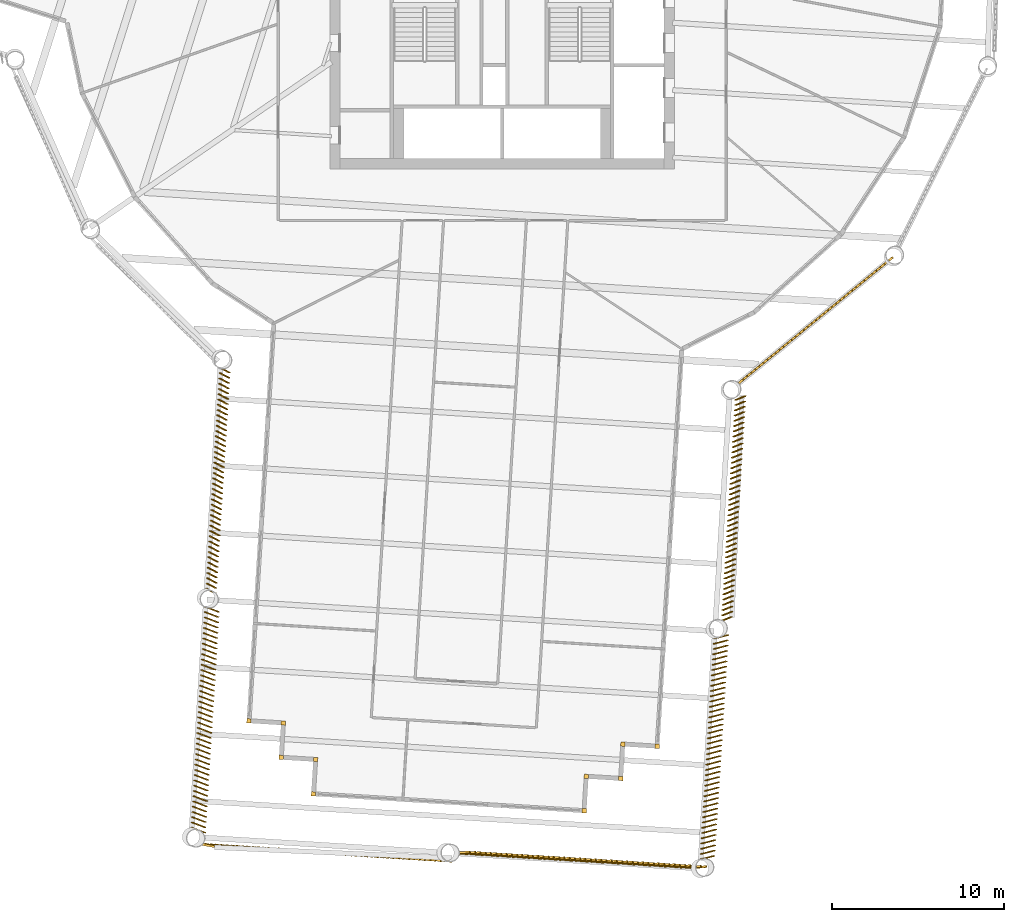
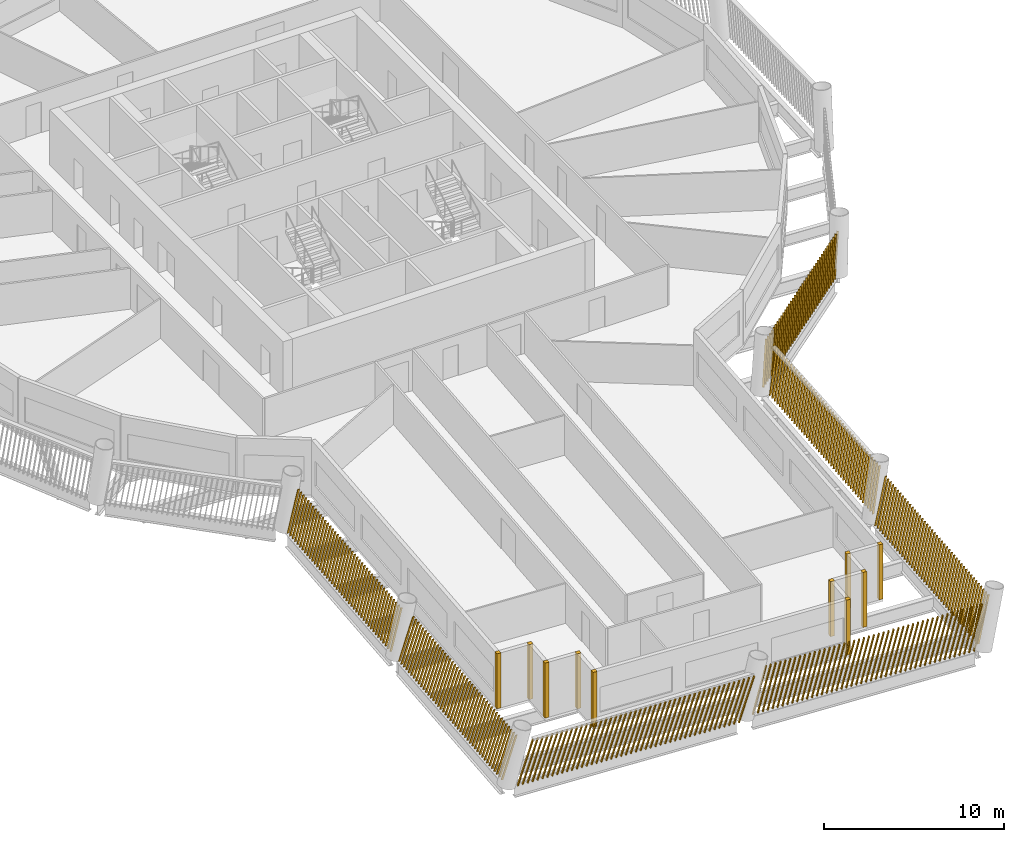
# One storey, part 11 of 15: 17 shading devices.
"""IFC4 building model written with IfcOpenShell, lengths in metres."""

from ifc_helpers import new_model, si_unit, direction, frame, frame_2d, origin, origin_2d, place, context, subcontext, project, spatial, rectangle, composite_profile, extrude, material, type_object, element, save


model = new_model("IFC4")

# Units and contexts
model_context = context("Model", 3, precision=1e-05, world=origin(), true_north=direction((0.0, 1.0)))
body_context = subcontext(model_context, "Body", "Model", "MODEL_VIEW")
ifc_project = project(units=[si_unit("LENGTHUNIT", "METRE"), si_unit("AREAUNIT", "SQUARE_METRE"), si_unit("VOLUMEUNIT", "CUBIC_METRE"), si_unit("PLANEANGLEUNIT", "RADIAN"), si_unit("MASSUNIT", "GRAM", prefix="KILO")], contexts=[model_context])

# Site, building, storey
site_placement = place(None, origin())
site = spatial("IfcSite", under=ifc_project, at=site_placement, CompositionType="ELEMENT")
building_placement = place(site_placement, origin())
building = spatial("IfcBuilding", under=site, at=building_placement, Name="Tarsis Ring Headquarters", CompositionType="ELEMENT")
storey_placement = place(building_placement, frame((0.0, 0.0, 212.10009765625)))
storey = spatial("IfcBuildingStorey", under=building, at=storey_placement, Name="L49", CompositionType="ELEMENT", Elevation=212.10009765625)

# Shading devices
ifc_material = material(Name="Terracotta baguette", Category="masonry")
shading_device_type_1 = type_object("IfcShadingDeviceType", Name="Terracotta baguette screen", PredefinedType="USERDEFINED", material=ifc_material)
shading_device_1_placement = place(storey_placement, frame((-16.3544921875, -24.52734375, 0.0), z_axis=(0.0, 0.0, 1.0), x_axis=(-0.062102633969, -0.998069936421, 0.0)))
element("IfcShadingDevice", 1, at=shading_device_1_placement, inside=storey, type_object=shading_device_type_1, Name="Baguette screen L49-01", ObjectType="Terracotta baguette screen", PredefinedType="USERDEFINED", context=body_context, shape_type="SweptSolid", body=[
    extrude(composite_profile([rectangle(XDim=0.06005859375, YDim=0.1201171875, at=frame_2d((0.030029296875, 0.0))), rectangle(XDim=0.06005859375, YDim=0.1201171875, at=frame_2d((0.335693359375, 0.0))), rectangle(XDim=0.06005859375, YDim=0.1201171875, at=frame_2d((0.6416015625, 0.0))), rectangle(XDim=0.06005859375, YDim=0.1201171875, at=frame_2d((0.947265625, 0.0))), rectangle(XDim=0.06005859375, YDim=0.1201171875, at=frame_2d((1.253173828125, 0.0))), rectangle(XDim=0.06005859375, YDim=0.1201171875, at=frame_2d((1.558837890625, 0.0))), rectangle(XDim=0.06005859375, YDim=0.1201171875, at=frame_2d((1.864501953125, 0.0))), rectangle(XDim=0.06005859375, YDim=0.1201171875, at=frame_2d((2.17041015625, 0.0))), rectangle(XDim=0.06005859375, YDim=0.1201171875, at=frame_2d((2.47607421875, 0.0))), rectangle(XDim=0.06005859375, YDim=0.1201171875, at=frame_2d((2.781982421875, 0.0))), rectangle(XDim=0.06005859375, YDim=0.1201171875, at=frame_2d((3.087646484375, 0.0))), rectangle(XDim=0.06005859375, YDim=0.1201171875, at=frame_2d((3.393310546875, 0.0))), rectangle(XDim=0.06005859375, YDim=0.1201171875, at=frame_2d((3.69921875, 0.0))), rectangle(XDim=0.06005859375, YDim=0.1201171875, at=frame_2d((4.0048828125, 0.0))), rectangle(XDim=0.06005859375, YDim=0.1201171875, at=frame_2d((4.310791015625, 0.0))), rectangle(XDim=0.06005859375, YDim=0.1201171875, at=frame_2d((4.616455078125, 0.0))), rectangle(XDim=0.06005859375, YDim=0.1201171875, at=frame_2d((4.922119140625, 0.0))), rectangle(XDim=0.06005859375, YDim=0.1201171875, at=frame_2d((5.22802734375, 0.0))), rectangle(XDim=0.06005859375, YDim=0.1201171875, at=frame_2d((5.53369140625, 0.0))), rectangle(XDim=0.06005859375, YDim=0.1201171875, at=frame_2d((5.839599609375, 0.0))), rectangle(XDim=0.06005859375, YDim=0.1201171875, at=frame_2d((6.145263671875, 0.0))), rectangle(XDim=0.06005859375, YDim=0.1201171875, at=frame_2d((6.451171875, 0.0))), rectangle(XDim=0.06005859375, YDim=0.1201171875, at=frame_2d((6.7568359375, 0.0))), rectangle(XDim=0.06005859375, YDim=0.1201171875, at=frame_2d((7.0625, 0.0))), rectangle(XDim=0.06005859375, YDim=0.1201171875, at=frame_2d((7.368408203125, 0.0))), rectangle(XDim=0.06005859375, YDim=0.1201171875, at=frame_2d((7.674072265625, 0.0))), rectangle(XDim=0.06005859375, YDim=0.1201171875, at=frame_2d((7.97998046875, 0.0))), rectangle(XDim=0.06005859375, YDim=0.1201171875, at=frame_2d((8.28564453125, 0.0))), rectangle(XDim=0.06005859375, YDim=0.1201171875, at=frame_2d((8.59130859375, 0.0))), rectangle(XDim=0.06005859375, YDim=0.1201171875, at=frame_2d((8.897216796875, 0.0))), rectangle(XDim=0.06005859375, YDim=0.1201171875, at=frame_2d((9.202880859375, 0.0))), rectangle(XDim=0.06005859375, YDim=0.1201171875, at=frame_2d((9.5087890625, 0.0))), rectangle(XDim=0.06005859375, YDim=0.1201171875, at=frame_2d((9.814453125, 0.0))), rectangle(XDim=0.06005859375, YDim=0.1201171875, at=frame_2d((10.1201171875, 0.0))), rectangle(XDim=0.06005859375, YDim=0.1201171875, at=frame_2d((10.426025390625, 0.0))), rectangle(XDim=0.06005859375, YDim=0.1201171875, at=frame_2d((10.731689453125, 0.0))), rectangle(XDim=0.06005859375, YDim=0.1201171875, at=frame_2d((11.03759765625, 0.0))), rectangle(XDim=0.06005859375, YDim=0.1201171875, at=frame_2d((11.34326171875, 0.0))), rectangle(XDim=0.06005859375, YDim=0.1201171875, at=frame_2d((11.64892578125, 0.0))), rectangle(XDim=0.06005859375, YDim=0.1201171875, at=frame_2d((11.954833984375, 0.0))), rectangle(XDim=0.06005859375, YDim=0.1201171875, at=frame_2d((12.260498046875, 0.0))), rectangle(XDim=0.06005859375, YDim=0.1201171875, at=frame_2d((12.56640625, 0.0))), rectangle(XDim=0.06005859375, YDim=0.1201171875, at=frame_2d((12.8720703125, 0.0)))]), origin(), (0.08093310766, 0.178611030988, 0.98058550453), 3.00830078125),
])
shading_device_2_placement = place(storey_placement, frame((-17.2177734375, -38.40283203125, 0.0), z_axis=(0.0, 0.0, 1.0), x_axis=(-0.062103809109, -0.9980698999, 0.0)))
element("IfcShadingDevice", 2, at=shading_device_2_placement, inside=storey, type_object=shading_device_type_1, Name="Baguette screen L49-02", ObjectType="Terracotta baguette screen", PredefinedType="USERDEFINED", context=body_context, shape_type="SweptSolid", body=[
    extrude(composite_profile([rectangle(XDim=0.06005859375, YDim=0.1201171875, at=frame_2d((0.030029296875, 0.0))), rectangle(XDim=0.06005859375, YDim=0.1201171875, at=frame_2d((0.335693359375, 0.0))), rectangle(XDim=0.06005859375, YDim=0.1201171875, at=frame_2d((0.6416015625, 0.0))), rectangle(XDim=0.06005859375, YDim=0.1201171875, at=frame_2d((0.947265625, 0.0))), rectangle(XDim=0.06005859375, YDim=0.1201171875, at=frame_2d((1.253173828125, 0.0))), rectangle(XDim=0.06005859375, YDim=0.1201171875, at=frame_2d((1.558837890625, 0.0))), rectangle(XDim=0.06005859375, YDim=0.1201171875, at=frame_2d((1.864501953125, 0.0))), rectangle(XDim=0.06005859375, YDim=0.1201171875, at=frame_2d((2.17041015625, 0.0))), rectangle(XDim=0.06005859375, YDim=0.1201171875, at=frame_2d((2.47607421875, 0.0))), rectangle(XDim=0.06005859375, YDim=0.1201171875, at=frame_2d((2.781982421875, 0.0))), rectangle(XDim=0.06005859375, YDim=0.1201171875, at=frame_2d((3.087646484375, 0.0))), rectangle(XDim=0.06005859375, YDim=0.1201171875, at=frame_2d((3.393310546875, 0.0))), rectangle(XDim=0.06005859375, YDim=0.1201171875, at=frame_2d((3.69921875, 0.0))), rectangle(XDim=0.06005859375, YDim=0.1201171875, at=frame_2d((4.0048828125, 0.0))), rectangle(XDim=0.06005859375, YDim=0.1201171875, at=frame_2d((4.310791015625, 0.0))), rectangle(XDim=0.06005859375, YDim=0.1201171875, at=frame_2d((4.616455078125, 0.0))), rectangle(XDim=0.06005859375, YDim=0.1201171875, at=frame_2d((4.922119140625, 0.0))), rectangle(XDim=0.06005859375, YDim=0.1201171875, at=frame_2d((5.22802734375, 0.0))), rectangle(XDim=0.06005859375, YDim=0.1201171875, at=frame_2d((5.53369140625, 0.0))), rectangle(XDim=0.06005859375, YDim=0.1201171875, at=frame_2d((5.839599609375, 0.0))), rectangle(XDim=0.06005859375, YDim=0.1201171875, at=frame_2d((6.145263671875, 0.0))), rectangle(XDim=0.06005859375, YDim=0.1201171875, at=frame_2d((6.451171875, 0.0))), rectangle(XDim=0.06005859375, YDim=0.1201171875, at=frame_2d((6.7568359375, 0.0))), rectangle(XDim=0.06005859375, YDim=0.1201171875, at=frame_2d((7.0625, 0.0))), rectangle(XDim=0.06005859375, YDim=0.1201171875, at=frame_2d((7.368408203125, 0.0))), rectangle(XDim=0.06005859375, YDim=0.1201171875, at=frame_2d((7.674072265625, 0.0))), rectangle(XDim=0.06005859375, YDim=0.1201171875, at=frame_2d((7.97998046875, 0.0))), rectangle(XDim=0.06005859375, YDim=0.1201171875, at=frame_2d((8.28564453125, 0.0))), rectangle(XDim=0.06005859375, YDim=0.1201171875, at=frame_2d((8.59130859375, 0.0))), rectangle(XDim=0.06005859375, YDim=0.1201171875, at=frame_2d((8.897216796875, 0.0))), rectangle(XDim=0.06005859375, YDim=0.1201171875, at=frame_2d((9.202880859375, 0.0))), rectangle(XDim=0.06005859375, YDim=0.1201171875, at=frame_2d((9.5087890625, 0.0))), rectangle(XDim=0.06005859375, YDim=0.1201171875, at=frame_2d((9.814453125, 0.0))), rectangle(XDim=0.06005859375, YDim=0.1201171875, at=frame_2d((10.1201171875, 0.0))), rectangle(XDim=0.06005859375, YDim=0.1201171875, at=frame_2d((10.426025390625, 0.0))), rectangle(XDim=0.06005859375, YDim=0.1201171875, at=frame_2d((10.731689453125, 0.0))), rectangle(XDim=0.06005859375, YDim=0.1201171875, at=frame_2d((11.03759765625, 0.0))), rectangle(XDim=0.06005859375, YDim=0.1201171875, at=frame_2d((11.34326171875, 0.0))), rectangle(XDim=0.06005859375, YDim=0.1201171875, at=frame_2d((11.64892578125, 0.0))), rectangle(XDim=0.06005859375, YDim=0.1201171875, at=frame_2d((11.954833984375, 0.0))), rectangle(XDim=0.06005859375, YDim=0.1201171875, at=frame_2d((12.260498046875, 0.0))), rectangle(XDim=0.06005859375, YDim=0.1201171875, at=frame_2d((12.56640625, 0.0))), rectangle(XDim=0.06005859375, YDim=0.1201171875, at=frame_2d((12.8720703125, 0.0)))]), origin(), (0.078969926048, 0.251846926602, 0.964539722531), 3.058349609375),
])
shading_device_3_placement = place(storey_placement, frame((-17.57421875, -52.184326171875, 0.0), z_axis=(0.0, 0.0, 1.0), x_axis=(0.998071649713, -0.062096417514, 0.0)))
element("IfcShadingDevice", 3, at=shading_device_3_placement, inside=storey, type_object=shading_device_type_1, Name="Baguette screen L49-03", ObjectType="Terracotta baguette screen", PredefinedType="USERDEFINED", context=body_context, shape_type="SweptSolid", body=[
    extrude(composite_profile([rectangle(XDim=0.06005859375, YDim=0.1201171875, at=frame_2d((0.030029296875, 0.0))), rectangle(XDim=0.06005859375, YDim=0.1201171875, at=frame_2d((0.33544921875, 0.0))), rectangle(XDim=0.06005859375, YDim=0.1201171875, at=frame_2d((0.640625, 0.0))), rectangle(XDim=0.06005859375, YDim=0.1201171875, at=frame_2d((0.946044921875, 0.0))), rectangle(XDim=0.06005859375, YDim=0.1201171875, at=frame_2d((1.25146484375, 0.0))), rectangle(XDim=0.06005859375, YDim=0.1201171875, at=frame_2d((1.556640625, 0.0))), rectangle(XDim=0.06005859375, YDim=0.1201171875, at=frame_2d((1.862060546875, 0.0))), rectangle(XDim=0.06005859375, YDim=0.1201171875, at=frame_2d((2.16748046875, 0.0))), rectangle(XDim=0.06005859375, YDim=0.1201171875, at=frame_2d((2.47265625, 0.0))), rectangle(XDim=0.06005859375, YDim=0.1201171875, at=frame_2d((2.778076171875, 0.0))), rectangle(XDim=0.06005859375, YDim=0.1201171875, at=frame_2d((3.08349609375, 0.0))), rectangle(XDim=0.06005859375, YDim=0.1201171875, at=frame_2d((3.388671875, 0.0))), rectangle(XDim=0.06005859375, YDim=0.1201171875, at=frame_2d((3.694091796875, 0.0))), rectangle(XDim=0.06005859375, YDim=0.1201171875, at=frame_2d((3.99951171875, 0.0))), rectangle(XDim=0.06005859375, YDim=0.1201171875, at=frame_2d((4.3046875, 0.0))), rectangle(XDim=0.06005859375, YDim=0.1201171875, at=frame_2d((4.610107421875, 0.0))), rectangle(XDim=0.06005859375, YDim=0.1201171875, at=frame_2d((4.91552734375, 0.0))), rectangle(XDim=0.06005859375, YDim=0.1201171875, at=frame_2d((5.220703125, 0.0))), rectangle(XDim=0.06005859375, YDim=0.1201171875, at=frame_2d((5.526123046875, 0.0))), rectangle(XDim=0.06005859375, YDim=0.1201171875, at=frame_2d((5.83154296875, 0.0))), rectangle(XDim=0.06005859375, YDim=0.1201171875, at=frame_2d((6.13671875, 0.0))), rectangle(XDim=0.06005859375, YDim=0.1201171875, at=frame_2d((6.442138671875, 0.0))), rectangle(XDim=0.06005859375, YDim=0.1201171875, at=frame_2d((6.74755859375, 0.0))), rectangle(XDim=0.06005859375, YDim=0.1201171875, at=frame_2d((7.052734375, 0.0))), rectangle(XDim=0.06005859375, YDim=0.1201171875, at=frame_2d((7.358154296875, 0.0))), rectangle(XDim=0.06005859375, YDim=0.1201171875, at=frame_2d((7.66357421875, 0.0))), rectangle(XDim=0.06005859375, YDim=0.1201171875, at=frame_2d((7.96875, 0.0))), rectangle(XDim=0.06005859375, YDim=0.1201171875, at=frame_2d((8.274169921875, 0.0))), rectangle(XDim=0.06005859375, YDim=0.1201171875, at=frame_2d((8.57958984375, 0.0))), rectangle(XDim=0.06005859375, YDim=0.1201171875, at=frame_2d((8.884765625, 0.0))), rectangle(XDim=0.06005859375, YDim=0.1201171875, at=frame_2d((9.190185546875, 0.0))), rectangle(XDim=0.06005859375, YDim=0.1201171875, at=frame_2d((9.49560546875, 0.0))), rectangle(XDim=0.06005859375, YDim=0.1201171875, at=frame_2d((9.80078125, 0.0))), rectangle(XDim=0.06005859375, YDim=0.1201171875, at=frame_2d((10.106201171875, 0.0))), rectangle(XDim=0.06005859375, YDim=0.1201171875, at=frame_2d((10.41162109375, 0.0))), rectangle(XDim=0.06005859375, YDim=0.1201171875, at=frame_2d((10.716796875, 0.0))), rectangle(XDim=0.06005859375, YDim=0.1201171875, at=frame_2d((11.022216796875, 0.0))), rectangle(XDim=0.06005859375, YDim=0.1201171875, at=frame_2d((11.32763671875, 0.0))), rectangle(XDim=0.06005859375, YDim=0.1201171875, at=frame_2d((11.6328125, 0.0))), rectangle(XDim=0.06005859375, YDim=0.1201171875, at=frame_2d((11.938232421875, 0.0))), rectangle(XDim=0.06005859375, YDim=0.1201171875, at=frame_2d((12.24365234375, 0.0))), rectangle(XDim=0.06005859375, YDim=0.1201171875, at=frame_2d((12.548828125, 0.0))), rectangle(XDim=0.06005859375, YDim=0.1201171875, at=frame_2d((12.854248046875, 0.0))), rectangle(XDim=0.06005859375, YDim=0.1201171875, at=frame_2d((13.15966796875, 0.0))), rectangle(XDim=0.06005859375, YDim=0.1201171875, at=frame_2d((13.46484375, 0.0))), rectangle(XDim=0.06005859375, YDim=0.1201171875, at=frame_2d((13.770263671875, 0.0)))]), origin(), (0.28921534367, -0.037780498892, 0.95651822716), 3.083984375),
])
shading_device_4_placement = place(storey_placement, frame((-2.779541015625, -52.729248046875, 0.0), z_axis=(0.0, 0.0, 1.0), x_axis=(0.998071649713, -0.062078726227, 0.0)))
element("IfcShadingDevice", 4, at=shading_device_4_placement, inside=storey, type_object=shading_device_type_1, Name="Baguette screen L49-04", ObjectType="Terracotta baguette screen", PredefinedType="USERDEFINED", context=body_context, shape_type="SweptSolid", body=[
    extrude(composite_profile([rectangle(XDim=0.06005859375, YDim=0.1201171875, at=frame_2d((0.030029296875, 0.0))), rectangle(XDim=0.06005859375, YDim=0.1201171875, at=frame_2d((0.33544921875, 0.0))), rectangle(XDim=0.06005859375, YDim=0.1201171875, at=frame_2d((0.640625, 0.0))), rectangle(XDim=0.06005859375, YDim=0.1201171875, at=frame_2d((0.946044921875, 0.0))), rectangle(XDim=0.06005859375, YDim=0.1201171875, at=frame_2d((1.25146484375, 0.0))), rectangle(XDim=0.06005859375, YDim=0.1201171875, at=frame_2d((1.556640625, 0.0))), rectangle(XDim=0.06005859375, YDim=0.1201171875, at=frame_2d((1.862060546875, 0.0))), rectangle(XDim=0.06005859375, YDim=0.1201171875, at=frame_2d((2.16748046875, 0.0))), rectangle(XDim=0.06005859375, YDim=0.1201171875, at=frame_2d((2.47265625, 0.0))), rectangle(XDim=0.06005859375, YDim=0.1201171875, at=frame_2d((2.778076171875, 0.0))), rectangle(XDim=0.06005859375, YDim=0.1201171875, at=frame_2d((3.08349609375, 0.0))), rectangle(XDim=0.06005859375, YDim=0.1201171875, at=frame_2d((3.388671875, 0.0))), rectangle(XDim=0.06005859375, YDim=0.1201171875, at=frame_2d((3.694091796875, 0.0))), rectangle(XDim=0.06005859375, YDim=0.1201171875, at=frame_2d((3.99951171875, 0.0))), rectangle(XDim=0.06005859375, YDim=0.1201171875, at=frame_2d((4.3046875, 0.0))), rectangle(XDim=0.06005859375, YDim=0.1201171875, at=frame_2d((4.610107421875, 0.0))), rectangle(XDim=0.06005859375, YDim=0.1201171875, at=frame_2d((4.91552734375, 0.0))), rectangle(XDim=0.06005859375, YDim=0.1201171875, at=frame_2d((5.220703125, 0.0))), rectangle(XDim=0.06005859375, YDim=0.1201171875, at=frame_2d((5.526123046875, 0.0))), rectangle(XDim=0.06005859375, YDim=0.1201171875, at=frame_2d((5.83154296875, 0.0))), rectangle(XDim=0.06005859375, YDim=0.1201171875, at=frame_2d((6.13671875, 0.0))), rectangle(XDim=0.06005859375, YDim=0.1201171875, at=frame_2d((6.442138671875, 0.0))), rectangle(XDim=0.06005859375, YDim=0.1201171875, at=frame_2d((6.74755859375, 0.0))), rectangle(XDim=0.06005859375, YDim=0.1201171875, at=frame_2d((7.052734375, 0.0))), rectangle(XDim=0.06005859375, YDim=0.1201171875, at=frame_2d((7.358154296875, 0.0))), rectangle(XDim=0.06005859375, YDim=0.1201171875, at=frame_2d((7.66357421875, 0.0))), rectangle(XDim=0.06005859375, YDim=0.1201171875, at=frame_2d((7.96875, 0.0))), rectangle(XDim=0.06005859375, YDim=0.1201171875, at=frame_2d((8.274169921875, 0.0))), rectangle(XDim=0.06005859375, YDim=0.1201171875, at=frame_2d((8.57958984375, 0.0))), rectangle(XDim=0.06005859375, YDim=0.1201171875, at=frame_2d((8.884765625, 0.0))), rectangle(XDim=0.06005859375, YDim=0.1201171875, at=frame_2d((9.190185546875, 0.0))), rectangle(XDim=0.06005859375, YDim=0.1201171875, at=frame_2d((9.49560546875, 0.0))), rectangle(XDim=0.06005859375, YDim=0.1201171875, at=frame_2d((9.80078125, 0.0))), rectangle(XDim=0.06005859375, YDim=0.1201171875, at=frame_2d((10.106201171875, 0.0))), rectangle(XDim=0.06005859375, YDim=0.1201171875, at=frame_2d((10.41162109375, 0.0))), rectangle(XDim=0.06005859375, YDim=0.1201171875, at=frame_2d((10.716796875, 0.0))), rectangle(XDim=0.06005859375, YDim=0.1201171875, at=frame_2d((11.022216796875, 0.0))), rectangle(XDim=0.06005859375, YDim=0.1201171875, at=frame_2d((11.32763671875, 0.0))), rectangle(XDim=0.06005859375, YDim=0.1201171875, at=frame_2d((11.6328125, 0.0))), rectangle(XDim=0.06005859375, YDim=0.1201171875, at=frame_2d((11.938232421875, 0.0))), rectangle(XDim=0.06005859375, YDim=0.1201171875, at=frame_2d((12.24365234375, 0.0))), rectangle(XDim=0.06005859375, YDim=0.1201171875, at=frame_2d((12.548828125, 0.0))), rectangle(XDim=0.06005859375, YDim=0.1201171875, at=frame_2d((12.854248046875, 0.0))), rectangle(XDim=0.06005859375, YDim=0.1201171875, at=frame_2d((13.15966796875, 0.0))), rectangle(XDim=0.06005859375, YDim=0.1201171875, at=frame_2d((13.46484375, 0.0))), rectangle(XDim=0.06005859375, YDim=0.1201171875, at=frame_2d((13.770263671875, 0.0)))]), origin(), (0.286672770689, 0.042624772438, 0.957079856292), 3.082275390625),
])
shading_device_5_placement = place(storey_placement, frame((11.52392578125, -53.1181640625, 0.0), z_axis=(0.0, 0.0, 1.0), x_axis=(0.062102633969, 0.998069936421, 0.0)))
element("IfcShadingDevice", 5, at=shading_device_5_placement, inside=storey, type_object=shading_device_type_1, Name="Baguette screen L49-05", ObjectType="Terracotta baguette screen", PredefinedType="USERDEFINED", context=body_context, shape_type="SweptSolid", body=[
    extrude(composite_profile([rectangle(XDim=0.06005859375, YDim=0.1201171875, at=frame_2d((0.030029296875, 0.0))), rectangle(XDim=0.06005859375, YDim=0.1201171875, at=frame_2d((0.335693359375, 0.0))), rectangle(XDim=0.06005859375, YDim=0.1201171875, at=frame_2d((0.6416015625, 0.0))), rectangle(XDim=0.06005859375, YDim=0.1201171875, at=frame_2d((0.947265625, 0.0))), rectangle(XDim=0.06005859375, YDim=0.1201171875, at=frame_2d((1.253173828125, 0.0))), rectangle(XDim=0.06005859375, YDim=0.1201171875, at=frame_2d((1.558837890625, 0.0))), rectangle(XDim=0.06005859375, YDim=0.1201171875, at=frame_2d((1.864501953125, 0.0))), rectangle(XDim=0.06005859375, YDim=0.1201171875, at=frame_2d((2.17041015625, 0.0))), rectangle(XDim=0.06005859375, YDim=0.1201171875, at=frame_2d((2.47607421875, 0.0))), rectangle(XDim=0.06005859375, YDim=0.1201171875, at=frame_2d((2.781982421875, 0.0))), rectangle(XDim=0.06005859375, YDim=0.1201171875, at=frame_2d((3.087646484375, 0.0))), rectangle(XDim=0.06005859375, YDim=0.1201171875, at=frame_2d((3.393310546875, 0.0))), rectangle(XDim=0.06005859375, YDim=0.1201171875, at=frame_2d((3.69921875, 0.0))), rectangle(XDim=0.06005859375, YDim=0.1201171875, at=frame_2d((4.0048828125, 0.0))), rectangle(XDim=0.06005859375, YDim=0.1201171875, at=frame_2d((4.310791015625, 0.0))), rectangle(XDim=0.06005859375, YDim=0.1201171875, at=frame_2d((4.616455078125, 0.0))), rectangle(XDim=0.06005859375, YDim=0.1201171875, at=frame_2d((4.922119140625, 0.0))), rectangle(XDim=0.06005859375, YDim=0.1201171875, at=frame_2d((5.22802734375, 0.0))), rectangle(XDim=0.06005859375, YDim=0.1201171875, at=frame_2d((5.53369140625, 0.0))), rectangle(XDim=0.06005859375, YDim=0.1201171875, at=frame_2d((5.839599609375, 0.0))), rectangle(XDim=0.06005859375, YDim=0.1201171875, at=frame_2d((6.145263671875, 0.0))), rectangle(XDim=0.06005859375, YDim=0.1201171875, at=frame_2d((6.451171875, 0.0))), rectangle(XDim=0.06005859375, YDim=0.1201171875, at=frame_2d((6.7568359375, 0.0))), rectangle(XDim=0.06005859375, YDim=0.1201171875, at=frame_2d((7.0625, 0.0))), rectangle(XDim=0.06005859375, YDim=0.1201171875, at=frame_2d((7.368408203125, 0.0))), rectangle(XDim=0.06005859375, YDim=0.1201171875, at=frame_2d((7.674072265625, 0.0))), rectangle(XDim=0.06005859375, YDim=0.1201171875, at=frame_2d((7.97998046875, 0.0))), rectangle(XDim=0.06005859375, YDim=0.1201171875, at=frame_2d((8.28564453125, 0.0))), rectangle(XDim=0.06005859375, YDim=0.1201171875, at=frame_2d((8.59130859375, 0.0))), rectangle(XDim=0.06005859375, YDim=0.1201171875, at=frame_2d((8.897216796875, 0.0))), rectangle(XDim=0.06005859375, YDim=0.1201171875, at=frame_2d((9.202880859375, 0.0))), rectangle(XDim=0.06005859375, YDim=0.1201171875, at=frame_2d((9.5087890625, 0.0))), rectangle(XDim=0.06005859375, YDim=0.1201171875, at=frame_2d((9.814453125, 0.0))), rectangle(XDim=0.06005859375, YDim=0.1201171875, at=frame_2d((10.1201171875, 0.0))), rectangle(XDim=0.06005859375, YDim=0.1201171875, at=frame_2d((10.426025390625, 0.0))), rectangle(XDim=0.06005859375, YDim=0.1201171875, at=frame_2d((10.731689453125, 0.0))), rectangle(XDim=0.06005859375, YDim=0.1201171875, at=frame_2d((11.03759765625, 0.0))), rectangle(XDim=0.06005859375, YDim=0.1201171875, at=frame_2d((11.34326171875, 0.0))), rectangle(XDim=0.06005859375, YDim=0.1201171875, at=frame_2d((11.64892578125, 0.0))), rectangle(XDim=0.06005859375, YDim=0.1201171875, at=frame_2d((11.954833984375, 0.0))), rectangle(XDim=0.06005859375, YDim=0.1201171875, at=frame_2d((12.260498046875, 0.0))), rectangle(XDim=0.06005859375, YDim=0.1201171875, at=frame_2d((12.56640625, 0.0))), rectangle(XDim=0.06005859375, YDim=0.1201171875, at=frame_2d((12.8720703125, 0.0)))]), origin(), (0.083183059647, -0.250487090482, 0.964539680931), 3.058349609375),
])
shading_device_6_placement = place(storey_placement, frame((12.761474609375, -39.265869140625, 0.0), z_axis=(0.0, 0.0, 1.0), x_axis=(0.062084886559, 0.9980698999, 0.0)))
element("IfcShadingDevice", 6, at=shading_device_6_placement, inside=storey, type_object=shading_device_type_1, Name="Baguette screen L49-06", ObjectType="Terracotta baguette screen", PredefinedType="USERDEFINED", context=body_context, shape_type="SweptSolid", body=[
    extrude(composite_profile([rectangle(XDim=0.06005859375, YDim=0.1201171875, at=frame_2d((0.030029296875, 0.0))), rectangle(XDim=0.06005859375, YDim=0.1201171875, at=frame_2d((0.335693359375, 0.0))), rectangle(XDim=0.06005859375, YDim=0.1201171875, at=frame_2d((0.6416015625, 0.0))), rectangle(XDim=0.06005859375, YDim=0.1201171875, at=frame_2d((0.947265625, 0.0))), rectangle(XDim=0.06005859375, YDim=0.1201171875, at=frame_2d((1.253173828125, 0.0))), rectangle(XDim=0.06005859375, YDim=0.1201171875, at=frame_2d((1.558837890625, 0.0))), rectangle(XDim=0.06005859375, YDim=0.1201171875, at=frame_2d((1.864501953125, 0.0))), rectangle(XDim=0.06005859375, YDim=0.1201171875, at=frame_2d((2.17041015625, 0.0))), rectangle(XDim=0.06005859375, YDim=0.1201171875, at=frame_2d((2.47607421875, 0.0))), rectangle(XDim=0.06005859375, YDim=0.1201171875, at=frame_2d((2.781982421875, 0.0))), rectangle(XDim=0.06005859375, YDim=0.1201171875, at=frame_2d((3.087646484375, 0.0))), rectangle(XDim=0.06005859375, YDim=0.1201171875, at=frame_2d((3.393310546875, 0.0))), rectangle(XDim=0.06005859375, YDim=0.1201171875, at=frame_2d((3.69921875, 0.0))), rectangle(XDim=0.06005859375, YDim=0.1201171875, at=frame_2d((4.0048828125, 0.0))), rectangle(XDim=0.06005859375, YDim=0.1201171875, at=frame_2d((4.310791015625, 0.0))), rectangle(XDim=0.06005859375, YDim=0.1201171875, at=frame_2d((4.616455078125, 0.0))), rectangle(XDim=0.06005859375, YDim=0.1201171875, at=frame_2d((4.922119140625, 0.0))), rectangle(XDim=0.06005859375, YDim=0.1201171875, at=frame_2d((5.22802734375, 0.0))), rectangle(XDim=0.06005859375, YDim=0.1201171875, at=frame_2d((5.53369140625, 0.0))), rectangle(XDim=0.06005859375, YDim=0.1201171875, at=frame_2d((5.839599609375, 0.0))), rectangle(XDim=0.06005859375, YDim=0.1201171875, at=frame_2d((6.145263671875, 0.0))), rectangle(XDim=0.06005859375, YDim=0.1201171875, at=frame_2d((6.451171875, 0.0))), rectangle(XDim=0.06005859375, YDim=0.1201171875, at=frame_2d((6.7568359375, 0.0))), rectangle(XDim=0.06005859375, YDim=0.1201171875, at=frame_2d((7.0625, 0.0))), rectangle(XDim=0.06005859375, YDim=0.1201171875, at=frame_2d((7.368408203125, 0.0))), rectangle(XDim=0.06005859375, YDim=0.1201171875, at=frame_2d((7.674072265625, 0.0))), rectangle(XDim=0.06005859375, YDim=0.1201171875, at=frame_2d((7.97998046875, 0.0))), rectangle(XDim=0.06005859375, YDim=0.1201171875, at=frame_2d((8.28564453125, 0.0))), rectangle(XDim=0.06005859375, YDim=0.1201171875, at=frame_2d((8.59130859375, 0.0))), rectangle(XDim=0.06005859375, YDim=0.1201171875, at=frame_2d((8.897216796875, 0.0))), rectangle(XDim=0.06005859375, YDim=0.1201171875, at=frame_2d((9.202880859375, 0.0))), rectangle(XDim=0.06005859375, YDim=0.1201171875, at=frame_2d((9.5087890625, 0.0))), rectangle(XDim=0.06005859375, YDim=0.1201171875, at=frame_2d((9.814453125, 0.0))), rectangle(XDim=0.06005859375, YDim=0.1201171875, at=frame_2d((10.1201171875, 0.0))), rectangle(XDim=0.06005859375, YDim=0.1201171875, at=frame_2d((10.426025390625, 0.0))), rectangle(XDim=0.06005859375, YDim=0.1201171875, at=frame_2d((10.731689453125, 0.0))), rectangle(XDim=0.06005859375, YDim=0.1201171875, at=frame_2d((11.03759765625, 0.0))), rectangle(XDim=0.06005859375, YDim=0.1201171875, at=frame_2d((11.34326171875, 0.0))), rectangle(XDim=0.06005859375, YDim=0.1201171875, at=frame_2d((11.64892578125, 0.0))), rectangle(XDim=0.06005859375, YDim=0.1201171875, at=frame_2d((11.954833984375, 0.0))), rectangle(XDim=0.06005859375, YDim=0.1201171875, at=frame_2d((12.260498046875, 0.0))), rectangle(XDim=0.06005859375, YDim=0.1201171875, at=frame_2d((12.56640625, 0.0))), rectangle(XDim=0.06005859375, YDim=0.1201171875, at=frame_2d((12.8720703125, 0.0)))]), origin(), (0.085987937262, -0.177181414783, 0.980414616834), 3.0087890625),
])
shading_device_7_placement = place(storey_placement, frame((13.606689453125, -25.550048828125, 0.0), z_axis=(0.0, 0.0, 1.0), x_axis=(0.774476397179, 0.632599023332, 0.0)))
element("IfcShadingDevice", 7, at=shading_device_7_placement, inside=storey, type_object=shading_device_type_1, Name="Baguette screen L49-07", ObjectType="Terracotta baguette screen", PredefinedType="USERDEFINED", context=body_context, shape_type="SweptSolid", body=[
    extrude(composite_profile([rectangle(XDim=0.06005859375, YDim=0.1201171875, at=frame_2d((0.030029296875, 0.0))), rectangle(XDim=0.06005859375, YDim=0.1201171875, at=frame_2d((0.33251953125, 0.0))), rectangle(XDim=0.06005859375, YDim=0.1201171875, at=frame_2d((0.634765625, 0.0))), rectangle(XDim=0.06005859375, YDim=0.1201171875, at=frame_2d((0.937255859375, 0.0))), rectangle(XDim=0.06005859375, YDim=0.1201171875, at=frame_2d((1.239501953125, 0.0))), rectangle(XDim=0.06005859375, YDim=0.1201171875, at=frame_2d((1.5419921875, 0.0))), rectangle(XDim=0.06005859375, YDim=0.1201171875, at=frame_2d((1.844482421875, 0.0))), rectangle(XDim=0.06005859375, YDim=0.1201171875, at=frame_2d((2.146728515625, 0.0))), rectangle(XDim=0.06005859375, YDim=0.1201171875, at=frame_2d((2.44921875, 0.0))), rectangle(XDim=0.06005859375, YDim=0.1201171875, at=frame_2d((2.751708984375, 0.0))), rectangle(XDim=0.06005859375, YDim=0.1201171875, at=frame_2d((3.053955078125, 0.0))), rectangle(XDim=0.06005859375, YDim=0.1201171875, at=frame_2d((3.3564453125, 0.0))), rectangle(XDim=0.06005859375, YDim=0.1201171875, at=frame_2d((3.65869140625, 0.0))), rectangle(XDim=0.06005859375, YDim=0.1201171875, at=frame_2d((3.961181640625, 0.0))), rectangle(XDim=0.06005859375, YDim=0.1201171875, at=frame_2d((4.263671875, 0.0))), rectangle(XDim=0.06005859375, YDim=0.1201171875, at=frame_2d((4.56591796875, 0.0))), rectangle(XDim=0.06005859375, YDim=0.1201171875, at=frame_2d((4.868408203125, 0.0))), rectangle(XDim=0.06005859375, YDim=0.1201171875, at=frame_2d((5.1708984375, 0.0))), rectangle(XDim=0.06005859375, YDim=0.1201171875, at=frame_2d((5.47314453125, 0.0))), rectangle(XDim=0.06005859375, YDim=0.1201171875, at=frame_2d((5.775634765625, 0.0))), rectangle(XDim=0.06005859375, YDim=0.1201171875, at=frame_2d((6.077880859375, 0.0))), rectangle(XDim=0.06005859375, YDim=0.1201171875, at=frame_2d((6.38037109375, 0.0))), rectangle(XDim=0.06005859375, YDim=0.1201171875, at=frame_2d((6.682861328125, 0.0))), rectangle(XDim=0.06005859375, YDim=0.1201171875, at=frame_2d((6.985107421875, 0.0))), rectangle(XDim=0.06005859375, YDim=0.1201171875, at=frame_2d((7.28759765625, 0.0))), rectangle(XDim=0.06005859375, YDim=0.1201171875, at=frame_2d((7.590087890625, 0.0))), rectangle(XDim=0.06005859375, YDim=0.1201171875, at=frame_2d((7.892333984375, 0.0))), rectangle(XDim=0.06005859375, YDim=0.1201171875, at=frame_2d((8.19482421875, 0.0))), rectangle(XDim=0.06005859375, YDim=0.1201171875, at=frame_2d((8.4970703125, 0.0))), rectangle(XDim=0.06005859375, YDim=0.1201171875, at=frame_2d((8.799560546875, 0.0))), rectangle(XDim=0.06005859375, YDim=0.1201171875, at=frame_2d((9.10205078125, 0.0))), rectangle(XDim=0.06005859375, YDim=0.1201171875, at=frame_2d((9.404296875, 0.0))), rectangle(XDim=0.06005859375, YDim=0.1201171875, at=frame_2d((9.706787109375, 0.0))), rectangle(XDim=0.06005859375, YDim=0.1201171875, at=frame_2d((10.00927734375, 0.0))), rectangle(XDim=0.06005859375, YDim=0.1201171875, at=frame_2d((10.3115234375, 0.0))), rectangle(XDim=0.06005859375, YDim=0.1201171875, at=frame_2d((10.614013671875, 0.0))), rectangle(XDim=0.06005859375, YDim=0.1201171875, at=frame_2d((10.916259765625, 0.0))), rectangle(XDim=0.06005859375, YDim=0.1201171875, at=frame_2d((11.21875, 0.0)))]), origin(), (0.159216284041, 0.001331302752, 0.987242828553), 2.988037109375),
])
shading_device_type_2 = type_object("IfcShadingDeviceType", Name="Terracotta corner baguette 250x250", PredefinedType="USERDEFINED", material=ifc_material)
for number, where, z_axis, x_axis, name in (
    (8, (-14.70068359375, -45.049072265625, 0.0), (0.0, 0.0, 1.0), (-0.062093750187, -0.998070321264, 0.0), "Corner baguette L49-07"),
    (9, (-12.70458984375, -45.17333984375, 0.0), (0.0, 0.0, 1.0), (0.99807033752, -0.062093488893, 0.0), "Corner baguette L49-08"),
    (10, (-12.82861328125, -47.16943359375, 0.0), (0.0, 0.0, 1.0), (-0.062094011481, -0.998070305008, 0.0), "Corner baguette L49-09"),
    (11, (-10.83251953125, -47.293701171875, 0.0), (0.0, 0.0, 1.0), (0.998070305008, -0.062094011481, 0.0), "Corner baguette L49-10"),
    (12, (-10.956787109375, -49.289794921875, 0.0), (0.0, 0.0, 1.0), (-0.062093488893, -0.99807033752, 0.0), "Corner baguette L49-11"),
    (13, (4.762939453125, -50.267822265625, 0.0), (0.0, 0.0, 1.0), (0.998070321264, -0.062093750187, 0.0), "Corner baguette L49-12"),
    (14, (4.886962890625, -48.271484375, 0.0), (0.0, 0.0, 1.0), (0.062093523732, 0.998070335352, 0.0), "Corner baguette L49-13"),
    (15, (6.88330078125, -48.395751953125, 0.0), (0.0, 0.0, 1.0), (0.99807033752, -0.062093488893, 0.0), "Corner baguette L49-14"),
    (16, (7.00732421875, -46.399658203125, 0.0), (0.0, 0.0, 1.0), (0.062093994061, 0.998070306091, 0.0), "Corner baguette L49-15"),
    (17, (9.00341796875, -46.52392578125, 0.0), (0.0, 0.0, 1.0), (0.998070305008, -0.062094011481, 0.0), "Corner baguette L49-16"),
):
    element("IfcShadingDevice", number, at=place(storey_placement, frame(where, z_axis=z_axis, x_axis=x_axis)), inside=storey, type_object=shading_device_type_2, Name=name, ObjectType="Terracotta corner baguette", PredefinedType="USERDEFINED", context=body_context, shape_type="SweptSolid", body=[
        extrude(rectangle(XDim=0.25, YDim=0.25, at=origin_2d()), origin(), (0.0, 0.0, 1.0), 3.739990234375),
    ])

save(model, "model.ifc")
